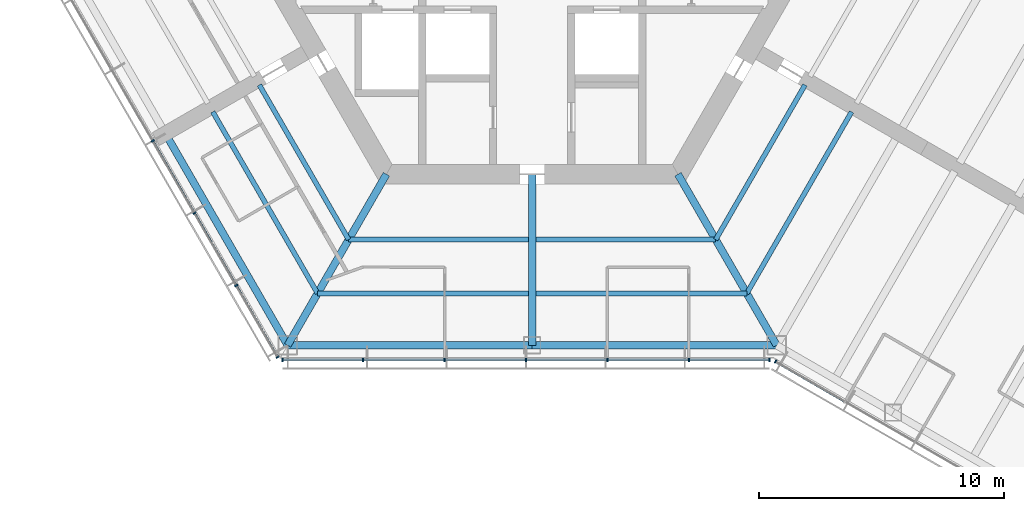
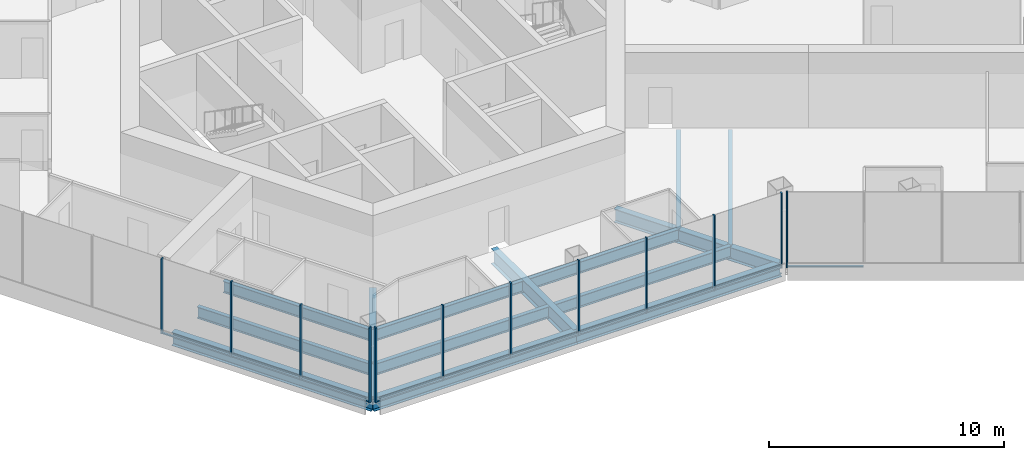
# One storey, part 2 of 16: 22 members, 14 beams, 3 elements without a shape of their own.
"""IFC4 building model written with IfcOpenShell, lengths in metres."""

import ifcopenshell
import ifcopenshell.guid

model = None  # the IFC model being written
_history = None  # IfcOwnerHistory: only IFC2X3 demands one
_inside = {}  # id of a spatial element -> (the spatial element, [elements in it])
_under = {}  # id of a project, library or spatial element -> (it, [spatial elements below it])
_declared = {}  # id of a project -> (the project, [libraries it declares])
_typed = {}  # id of a type object -> (the type object, [elements of that type])
_made_of = {}  # id of a material, layer set ... -> (it, [elements and type objects made of it])


def new_model(schema):
    """Start an empty IFC model of exactly this schema.

    Asked for "IFC4X3", IfcOpenShell would pick the latest addendum, in which some entities
    have other attributes; the version numbers below select the first issue.
    IFC2X3 requires an IfcOwnerHistory on every rooted entity: one is made here for all.
    """
    global model, _history
    if schema == "IFC4X3":
        model = ifcopenshell.file(schema_version=(4, 3, 0, 0))
    else:
        model = ifcopenshell.file(schema=schema)
    _inside.clear()
    _under.clear()
    _declared.clear()
    _typed.clear()
    _made_of.clear()
    _history = None
    if model.schema == "IFC2X3":
        org = make("IfcOrganization", Name="unknown")
        user = make(
            "IfcPersonAndOrganization",
            ThePerson=make("IfcPerson", FamilyName="unknown"),
            TheOrganization=org,
        )
        app = make(
            "IfcApplication",
            ApplicationDeveloper=org,
            Version="unknown",
            ApplicationFullName="unknown",
            ApplicationIdentifier="unknown",
        )
        _history = make(
            "IfcOwnerHistory",
            OwningUser=user,
            OwningApplication=app,
            ChangeAction="ADDED",
            CreationDate=0,
        )
    return model


def make(cls, **values):
    """One entity of the class cls with the attributes given. An attribute that is None is left unset."""
    return model.create_entity(
        cls, **{name: value for name, value in values.items() if value is not None}
    )


def rooted(cls, **values):
    """An entity with a GlobalId (a new one), such as an element, a storey or a relation."""
    return make(cls, GlobalId=ifcopenshell.guid.new(), OwnerHistory=_history, **values)


def si_unit(unit_type, name, prefix=None):
    """IfcSIUnit, for example si_unit("LENGTHUNIT", "METRE", prefix="MILLI")."""
    return make("IfcSIUnit", UnitType=unit_type, Prefix=prefix, Name=name)


def assignment(units):
    """IfcUnitAssignment: the units of a project."""
    return None if units is None else make("IfcUnitAssignment", Units=units)


def point(xyz):
    """IfcCartesianPoint."""
    return None if xyz is None else make("IfcCartesianPoint", Coordinates=xyz)


def direction(xyz):
    """IfcDirection."""
    return None if xyz is None else make("IfcDirection", DirectionRatios=xyz)


def frame(location, z_axis=None, x_axis=None):
    """IfcAxis2Placement3D, a coordinate frame: its origin and axes. An axis left out is left unset."""
    return make(
        "IfcAxis2Placement3D",
        Location=point(location),
        Axis=direction(z_axis),
        RefDirection=direction(x_axis),
    )


def frame_2d(location, x_axis=None):
    """IfcAxis2Placement2D, a coordinate frame in the plane: its origin and x axis."""
    return make(
        "IfcAxis2Placement2D", Location=point(location), RefDirection=direction(x_axis)
    )


def origin():
    """The frame at (0, 0, 0) with its axes left unset."""
    return frame((0.0, 0.0, 0.0))


def origin_2d():
    """The frame at (0, 0) in the plane with its x axis left unset."""
    return frame_2d((0.0, 0.0))


def place(relative_to, where):
    """IfcLocalPlacement: puts the frame where relative to a parent placement (None: the world)."""
    return make(
        "IfcLocalPlacement", PlacementRelTo=relative_to, RelativePlacement=where
    )


def context(
    kind, dimensions, precision=None, world=None, true_north=None, identifier=None
):
    """IfcGeometricRepresentationContext, for example the 3D "Model" context."""
    return make(
        "IfcGeometricRepresentationContext",
        ContextIdentifier=identifier,
        ContextType=kind,
        CoordinateSpaceDimension=dimensions,
        Precision=precision,
        WorldCoordinateSystem=world,
        TrueNorth=true_north,
    )


def subcontext(parent, identifier, kind, view, scale=None):
    """IfcGeometricRepresentationSubContext, for example "Body" below "Model"."""
    return make(
        "IfcGeometricRepresentationSubContext",
        ContextIdentifier=identifier,
        ContextType=kind,
        ParentContext=parent,
        TargetScale=scale,
        TargetView=view,
    )


def project(units=None, contexts=None):
    """IfcProject with its units and contexts."""
    return rooted(
        "IfcProject",
        Name="project",
        RepresentationContexts=contexts,
        UnitsInContext=assignment(units),
    )


def spatial(cls, under=None, at=None, **own):
    """A site, building, storey or space (cls), placed at a placement, below another one or the project."""
    s = rooted(cls, ObjectPlacement=at, **own)
    if under is not None:
        _under.setdefault(under.id(), (under, []))[1].append(s)
    return s


def profile(cls, at=None, kind="AREA", **sizes):
    """A parametric profile (cls). Its sizes go by their IFC names, for example OverallWidth=200.0."""
    return make(cls, ProfileType=kind, Position=at, **sizes)


def rectangle(**sizes):
    """IfcRectangleProfileDef."""
    return profile("IfcRectangleProfileDef", **sizes)


def i_section(**sizes):
    """IfcIShapeProfileDef."""
    return profile("IfcIShapeProfileDef", **sizes)


def extrude(swept, where, along, depth):
    """IfcExtrudedAreaSolid: the profile swept, set in the frame where, extruded along a direction by depth."""
    return make(
        "IfcExtrudedAreaSolid",
        SweptArea=swept,
        Position=where,
        ExtrudedDirection=direction(along),
        Depth=depth,
    )


def shape(context_of_items, identifier, shape_type, items):
    """IfcShapeRepresentation: the items that make up one representation, for example the "Body"."""
    return make(
        "IfcShapeRepresentation",
        ContextOfItems=context_of_items,
        RepresentationIdentifier=identifier,
        RepresentationType=shape_type,
        Items=items,
    )


def material(Name=None, Category=None):
    """IfcMaterial."""
    return make("IfcMaterial", Name=Name, Category=Category)


def material_profile(
    of_material, cross_section, Name=None, Category=None, Priority=None
):
    """IfcMaterialProfile: a cross section and its material."""
    return make(
        "IfcMaterialProfile",
        Name=Name,
        Material=of_material,
        Profile=cross_section,
        Priority=Priority,
        Category=Category,
    )


def profile_set(profiles, Name=None, composite=None):
    """IfcMaterialProfileSet."""
    return make(
        "IfcMaterialProfileSet",
        Name=Name,
        MaterialProfiles=profiles,
        CompositeProfile=composite,
    )


def made_of(thing, what):
    """Note that an element or type object is made of a material, layer set ...; save() writes the relation."""
    if what is not None:
        _made_of.setdefault(what.id(), (what, []))[1].append(thing)
    return thing


def type_object(cls, material=None, **own):
    """A type object (cls), such as IfcWallType, which elements share."""
    return made_of(rooted(cls, **own), material)


def element(
    cls,
    number,
    at=None,
    inside=None,
    cuts=None,
    type_object=None,
    material=None,
    context=None,
    identifier="Body",
    shape_type=None,
    held_by="IfcProductDefinitionShape",
    body=None,
    shapes=None,
    **own,
):
    """One element of the class cls, such as IfcWall. Its Tag is "e" and its number.

    at: its placement. inside: the storey or other place that contains it. cuts: it is an
    opening in that element (IfcRelVoidsElement). A single representation is given by context,
    identifier, shape_type and body (its items); several are given by shapes. held_by: the class
    of the entity that holds the representations. save() writes the other relations.
    """
    e = rooted(cls, Tag="e%d" % number, ObjectPlacement=at, **own)
    if body is not None:
        shapes = [shape(context, identifier, shape_type, body)]
    if shapes is not None:
        e.Representation = make(held_by, Representations=shapes)
    if inside is not None:
        _inside.setdefault(inside.id(), (inside, []))[1].append(e)
    if cuts is not None:
        rooted(
            "IfcRelVoidsElement", RelatingBuildingElement=cuts, RelatedOpeningElement=e
        )
    if type_object is not None:
        _typed.setdefault(type_object.id(), (type_object, []))[1].append(e)
    return made_of(e, material)


def aggregate(whole, parts):
    """IfcRelAggregates: a whole, such as a stair, and the parts it consists of."""
    return rooted("IfcRelAggregates", RelatingObject=whole, RelatedObjects=parts)


def save(model, path):
    """Write the relations noted so far, then the file.

    IfcRelAggregates (storeys below a building ...), IfcRelContainedInSpatialStructure (elements
    in a storey), IfcRelDefinesByType, IfcRelAssociatesMaterial and IfcRelDeclares: one each for
    every whole, place, type object, material and project.
    """
    for whole, parts in _under.values():
        aggregate(whole, parts)
    for where, things in _inside.values():
        rooted(
            "IfcRelContainedInSpatialStructure",
            RelatedElements=things,
            RelatingStructure=where,
        )
    for kind, things in _typed.values():
        rooted("IfcRelDefinesByType", RelatedObjects=things, RelatingType=kind)
    for what, things in _made_of.values():
        rooted("IfcRelAssociatesMaterial", RelatedObjects=things, RelatingMaterial=what)
    for by, libraries in _declared.values():
        rooted("IfcRelDeclares", RelatingContext=by, RelatedDefinitions=libraries)
    model.write(path)


model = new_model("IFC4")

# Units and contexts
model_context = context("Model", 3, precision=1e-05, world=origin(), true_north=direction((0.0, 1.0)))
body_context = subcontext(model_context, "Body", "Model", "MODEL_VIEW")
ifc_project = project(units=[si_unit("LENGTHUNIT", "METRE"), si_unit("AREAUNIT", "SQUARE_METRE"), si_unit("VOLUMEUNIT", "CUBIC_METRE"), si_unit("PLANEANGLEUNIT", "RADIAN"), si_unit("MASSUNIT", "GRAM", prefix="KILO")], contexts=[model_context])

# Site, building, storey
site_placement = place(None, origin())
site = spatial("IfcSite", under=ifc_project, at=site_placement, CompositionType="ELEMENT")
building_placement = place(site_placement, origin())
building = spatial("IfcBuilding", under=site, at=building_placement, Name="Kasaneha Research Tower", CompositionType="ELEMENT")
storey_placement = place(building_placement, frame((0.0, 0.0, 251.800048828125)))
storey = spatial("IfcBuildingStorey", under=building, at=storey_placement, Name="L63", CompositionType="ELEMENT", Elevation=251.800048828125)

# Beams
ifc_material_1 = material(Name="Steel SN490B", Category="steel")
ifc_material_profile_1 = material_profile(ifc_material_1, i_section(OverallWidth=0.199951171875, OverallDepth=0.60009765625, WebThickness=0.010986328125, FlangeThickness=0.01708984375, FilletRadius=0.012939453125, at=origin_2d()), Name="H-600x200x11x17")
ifc_profile_set_1 = profile_set([ifc_material_profile_1], Name="Steel SN490B")
beam_type_1 = type_object("IfcBeamType", Name="B1-3 secondary beam H-600x200x11x17", PredefinedType="JOIST", material=ifc_profile_set_1)
beam_1_placement = place(storey_placement, frame((-7.505615234375, -13.0, -0.449951171875), z_axis=(-0.499999192304, 0.866025870108, 0.0), x_axis=(-0.866025870108, -0.499999192304, 0.0)))
element("IfcBeam", 1, at=beam_1_placement, inside=storey, type_object=beam_type_1, Name="Secondary beam RS210R1 L63", PredefinedType="JOIST", context=body_context, shape_type="SweptSolid", body=[
    extrude(i_section(OverallWidth=0.199951171875, OverallDepth=0.60009765625, WebThickness=0.010986328125, FlangeThickness=0.01708984375, FilletRadius=0.012939453125, at=origin_2d()), origin(), (0.0, 0.0, 1.0), 7.3056640625),
])
beam_2_placement = place(storey_placement, frame((-8.775634765625, -15.199951171875, -0.449951171875), z_axis=(-0.500000102728, 0.866025344474, 0.0), x_axis=(-0.866025344474, -0.500000102728, 0.0)))
element("IfcBeam", 2, at=beam_2_placement, inside=storey, type_object=beam_type_1, Name="Secondary beam RS210R2 L63", PredefinedType="JOIST", context=body_context, shape_type="SweptSolid", body=[
    extrude(i_section(OverallWidth=0.199951171875, OverallDepth=0.60009765625, WebThickness=0.010986328125, FlangeThickness=0.01708984375, FilletRadius=0.012939453125, at=origin_2d()), origin(), (0.0, 0.0, 1.0), 8.57568359375),
])
beam_3_placement = place(storey_placement, frame((-7.505615234375, -13.0, -0.449951171875), z_axis=(1.0, 0.0, 0.0), x_axis=(0.0, 1.0, 0.0)))
element("IfcBeam", 3, at=beam_3_placement, inside=storey, type_object=beam_type_1, Name="Secondary beam RS270L1 L63", PredefinedType="JOIST", context=body_context, shape_type="SweptSolid", body=[
    extrude(i_section(OverallWidth=0.199951171875, OverallDepth=0.60009765625, WebThickness=0.010986328125, FlangeThickness=0.01708984375, FilletRadius=0.012939453125, at=origin_2d()), origin(), (0.0, 0.0, 1.0), 7.355712890625),
])
beam_4_placement = place(storey_placement, frame((-8.775634765625, -15.199951171875, -0.449951171875), z_axis=(1.0, 0.0, 0.0), x_axis=(0.0, 1.0, 0.0)))
element("IfcBeam", 4, at=beam_4_placement, inside=storey, type_object=beam_type_1, Name="Secondary beam RS270L2 L63", PredefinedType="JOIST", context=body_context, shape_type="SweptSolid", body=[
    extrude(i_section(OverallWidth=0.199951171875, OverallDepth=0.60009765625, WebThickness=0.010986328125, FlangeThickness=0.01708984375, FilletRadius=0.012939453125, at=origin_2d()), origin(), (0.0, 0.0, 1.0), 8.625732421875),
])
beam_5_placement = place(storey_placement, frame((7.505615234375, -13.0, -0.449951171875), z_axis=(-1.0, 0.0, 0.0), x_axis=(0.0, -1.0, 0.0)))
element("IfcBeam", 5, at=beam_5_placement, inside=storey, type_object=beam_type_1, Name="Secondary beam RS270R1 L63", PredefinedType="JOIST", context=body_context, shape_type="SweptSolid", body=[
    extrude(i_section(OverallWidth=0.199951171875, OverallDepth=0.60009765625, WebThickness=0.010986328125, FlangeThickness=0.01708984375, FilletRadius=0.012939453125, at=origin_2d()), origin(), (0.0, 0.0, 1.0), 7.355712890625),
])
beam_6_placement = place(storey_placement, frame((8.775634765625, -15.199951171875, -0.449951171875), z_axis=(-1.0, 0.0, 0.0), x_axis=(0.0, -1.0, 0.0)))
element("IfcBeam", 6, at=beam_6_placement, inside=storey, type_object=beam_type_1, Name="Secondary beam RS270R2 L63", PredefinedType="JOIST", context=body_context, shape_type="SweptSolid", body=[
    extrude(i_section(OverallWidth=0.199951171875, OverallDepth=0.60009765625, WebThickness=0.010986328125, FlangeThickness=0.01708984375, FilletRadius=0.012939453125, at=origin_2d()), origin(), (0.0, 0.0, 1.0), 8.625732421875),
])
beam_7_placement = place(storey_placement, frame((7.505615234375, -13.0, -0.449951171875), z_axis=(0.499999192304, 0.866025870108, 0.0), x_axis=(-0.866025870108, 0.499999192304, 0.0)))
element("IfcBeam", 7, at=beam_7_placement, inside=storey, type_object=beam_type_1, Name="Secondary beam RS330L1 L63", PredefinedType="JOIST", context=body_context, shape_type="SweptSolid", body=[
    extrude(i_section(OverallWidth=0.199951171875, OverallDepth=0.60009765625, WebThickness=0.010986328125, FlangeThickness=0.01708984375, FilletRadius=0.012939453125, at=origin_2d()), origin(), (0.0, 0.0, 1.0), 7.3056640625),
])
beam_8_placement = place(storey_placement, frame((8.775634765625, -15.199951171875, -0.449951171875), z_axis=(0.500000102728, 0.866025344474, 0.0), x_axis=(-0.866025344474, 0.500000102728, 0.0)))
element("IfcBeam", 8, at=beam_8_placement, inside=storey, type_object=beam_type_1, Name="Secondary beam RS330L2 L63", PredefinedType="JOIST", context=body_context, shape_type="SweptSolid", body=[
    extrude(i_section(OverallWidth=0.199951171875, OverallDepth=0.60009765625, WebThickness=0.010986328125, FlangeThickness=0.01708984375, FilletRadius=0.012939453125, at=origin_2d()), origin(), (0.0, 0.0, 1.0), 8.57568359375),
])

# Curtain wall, members
ifc_material_2 = material(Name="Glass and aluminium", Category="aluminium")
curtain_wall_type = type_object("IfcCurtainWallType", Name="High-rise office curtain wall", PredefinedType="USERDEFINED", material=ifc_material_2)
curtain_wall_1_placement = place(storey_placement, origin())
curtain_wall_1 = element("IfcCurtainWall", 9, at=curtain_wall_1_placement, inside=storey, type_object=curtain_wall_type, Name="CW-O3 L63 run 04a", ObjectType="UNITISED CURTAIN WALL", PredefinedType="USERDEFINED")
ifc_material_3 = material(Name="Aluminium 6063-T6", Category="aluminium")
ifc_material_profile_2 = material_profile(ifc_material_3, rectangle(XDim=0.06005859375, YDim=0.139892578125, at=origin_2d()), Name="CW-O3 mullion 60x140")
ifc_profile_set_2 = profile_set([ifc_material_profile_2], Name="Aluminium 6063-T6")
member_type_1 = type_object("IfcMemberType", Name="CW-O3 mullion", PredefinedType="MULLION", material=ifc_profile_set_2)
member_1_placement = place(storey_placement, frame((-15.51953125, -8.960205078125, 0.0), z_axis=(0.0, 0.0, 1.0), x_axis=(0.499999995722, -0.866025406254, 0.0)))
member_1 = element("IfcMember", 10, at=member_1_placement, type_object=member_type_1, Name="CW-O3 mullion 4", PredefinedType="MULLION", context=body_context, shape_type="SweptSolid", body=[
    extrude(rectangle(XDim=0.06005859375, YDim=0.139892578125, at=origin_2d()), origin(), (0.0, 0.0, 1.0), 3.89990234375),
])
member_2_placement = place(storey_placement, frame((-13.811767578125, -11.918212890625, 0.0), z_axis=(0.0, 0.0, 1.0), x_axis=(0.499999995722, -0.866025406254, 0.0)))
member_2 = element("IfcMember", 11, at=member_2_placement, type_object=member_type_1, Name="CW-O3 mullion 5", PredefinedType="MULLION", context=body_context, shape_type="SweptSolid", body=[
    extrude(rectangle(XDim=0.06005859375, YDim=0.139892578125, at=origin_2d()), origin(), (0.0, 0.0, 1.0), 3.89990234375),
])
member_3_placement = place(storey_placement, frame((-12.104248046875, -14.8759765625, 0.0), z_axis=(0.0, 0.0, 1.0), x_axis=(0.499999995722, -0.866025406254, 0.0)))
member_3 = element("IfcMember", 12, at=member_3_placement, type_object=member_type_1, Name="CW-O3 mullion 6", PredefinedType="MULLION", context=body_context, shape_type="SweptSolid", body=[
    extrude(rectangle(XDim=0.06005859375, YDim=0.139892578125, at=origin_2d()), origin(), (0.0, 0.0, 1.0), 3.89990234375),
])
member_4_placement = place(storey_placement, frame((-10.411376953125, -17.807861328125, 0.0), z_axis=(0.0, 0.0, 1.0), x_axis=(0.499999995722, -0.866025406254, 0.0)))
member_4 = element("IfcMember", 13, at=member_4_placement, type_object=member_type_1, Name="CW-O3 mullion 7", PredefinedType="MULLION", context=body_context, shape_type="SweptSolid", body=[
    extrude(rectangle(XDim=0.06005859375, YDim=0.139892578125, at=origin_2d()), origin(), (0.0, 0.0, 1.0), 3.89990234375),
])

curtain_wall_2_placement = place(storey_placement, origin())
curtain_wall_2 = element("IfcCurtainWall", 14, at=curtain_wall_2_placement, inside=storey, type_object=curtain_wall_type, Name="CW-O3 L63 run 05a", ObjectType="UNITISED CURTAIN WALL", PredefinedType="USERDEFINED")
member_5_placement = place(storey_placement, frame((-10.21630859375, -17.92041015625, 0.0), z_axis=(0.0, 0.0, 1.0), x_axis=(1.0, 0.0, 0.0)))
member_5 = element("IfcMember", 15, at=member_5_placement, type_object=member_type_1, Name="CW-O3 mullion 1", PredefinedType="MULLION", context=body_context, shape_type="SweptSolid", body=[
    extrude(rectangle(XDim=0.06005859375, YDim=0.139892578125, at=origin_2d()), origin(), (0.0, 0.0, 1.0), 3.89990234375),
])
member_6_placement = place(storey_placement, frame((-6.91552734375, -17.92041015625, 0.0), z_axis=(0.0, 0.0, 1.0), x_axis=(1.0, 0.0, 0.0)))
member_6 = element("IfcMember", 16, at=member_6_placement, type_object=member_type_1, Name="CW-O3 mullion 2", PredefinedType="MULLION", context=body_context, shape_type="SweptSolid", body=[
    extrude(rectangle(XDim=0.06005859375, YDim=0.139892578125, at=origin_2d()), origin(), (0.0, 0.0, 1.0), 3.89990234375),
])
member_7_placement = place(storey_placement, frame((-3.58447265625, -17.92041015625, 0.0), z_axis=(0.0, 0.0, 1.0), x_axis=(1.0, 0.0, 0.0)))
member_7 = element("IfcMember", 17, at=member_7_placement, type_object=member_type_1, Name="CW-O3 mullion 3", PredefinedType="MULLION", context=body_context, shape_type="SweptSolid", body=[
    extrude(rectangle(XDim=0.06005859375, YDim=0.139892578125, at=origin_2d()), origin(), (0.0, 0.0, 1.0), 3.89990234375),
])
member_8_placement = place(storey_placement, frame((-0.253662109375, -17.92041015625, 0.0), z_axis=(0.0, 0.0, 1.0), x_axis=(1.0, 0.0, 0.0)))
member_8 = element("IfcMember", 18, at=member_8_placement, type_object=member_type_1, Name="CW-O3 mullion 4", PredefinedType="MULLION", context=body_context, shape_type="SweptSolid", body=[
    extrude(rectangle(XDim=0.06005859375, YDim=0.139892578125, at=origin_2d()), origin(), (0.0, 0.0, 1.0), 3.89990234375),
])
member_9_placement = place(storey_placement, frame((3.077392578125, -17.92041015625, 0.0), z_axis=(0.0, 0.0, 1.0), x_axis=(1.0, 0.0, 0.0)))
member_9 = element("IfcMember", 19, at=member_9_placement, type_object=member_type_1, Name="CW-O3 mullion 5", PredefinedType="MULLION", context=body_context, shape_type="SweptSolid", body=[
    extrude(rectangle(XDim=0.06005859375, YDim=0.139892578125, at=origin_2d()), origin(), (0.0, 0.0, 1.0), 3.89990234375),
])
member_10_placement = place(storey_placement, frame((6.408203125, -17.92041015625, 0.0), z_axis=(0.0, 0.0, 1.0), x_axis=(1.0, 0.0, 0.0)))
member_10 = element("IfcMember", 20, at=member_10_placement, type_object=member_type_1, Name="CW-O3 mullion 6", PredefinedType="MULLION", context=body_context, shape_type="SweptSolid", body=[
    extrude(rectangle(XDim=0.06005859375, YDim=0.139892578125, at=origin_2d()), origin(), (0.0, 0.0, 1.0), 3.89990234375),
])
member_11_placement = place(storey_placement, frame((9.709228515625, -17.92041015625, 0.0), z_axis=(0.0, 0.0, 1.0), x_axis=(1.0, 0.0, 0.0)))
member_11 = element("IfcMember", 21, at=member_11_placement, type_object=member_type_1, Name="CW-O3 mullion 7", PredefinedType="MULLION", context=body_context, shape_type="SweptSolid", body=[
    extrude(rectangle(XDim=0.06005859375, YDim=0.139892578125, at=origin_2d()), origin(), (0.0, 0.0, 1.0), 3.89990234375),
])

# Curtain wall, member
curtain_wall_3_placement = place(storey_placement, origin())
curtain_wall_3 = element("IfcCurtainWall", 22, at=curtain_wall_3_placement, inside=storey, type_object=curtain_wall_type, Name="CW-O3 L63 run 06a", ObjectType="UNITISED CURTAIN WALL", PredefinedType="USERDEFINED")
member_12_placement = place(storey_placement, frame((9.951904296875, -17.985595703125, 0.0), z_axis=(0.0, 0.0, 1.0), x_axis=(0.866025411464, -0.499999986699, 0.0)))
member_12 = element("IfcMember", 23, at=member_12_placement, type_object=member_type_1, Name="CW-O3 mullion 1", PredefinedType="MULLION", context=body_context, shape_type="SweptSolid", body=[
    extrude(rectangle(XDim=0.06005859375, YDim=0.139892578125, at=origin_2d()), origin(), (0.0, 0.0, 1.0), 3.89990234375),
])

# Member
ifc_material_4 = material(Name="Aluminium 6063-T6", Category="aluminium")
ifc_material_profile_3 = material_profile(ifc_material_4, rectangle(XDim=0.10009765625, YDim=0.06005859375, at=origin_2d()), Name="CW-O3 transom 100x60")
ifc_profile_set_3 = profile_set([ifc_material_profile_3], Name="Aluminium 6063-T6")
member_type_2 = type_object("IfcMemberType", Name="CW-O3 transom", PredefinedType="USERDEFINED", material=ifc_profile_set_3)
member_13_placement = place(storey_placement, frame((-15.504638671875, -8.986328125, 0.030029296875), z_axis=(0.500020578564, -0.866013522419, 0.0), x_axis=(0.866013522419, 0.500020578564, 0.0)))
member_13 = element("IfcMember", 24, at=member_13_placement, type_object=member_type_2, Name="CW-O3 transom 4", ObjectType="TRANSOM", PredefinedType="USERDEFINED", context=body_context, shape_type="SweptSolid", body=[
    extrude(rectangle(XDim=0.10009765625, YDim=0.06005859375, at=origin_2d()), origin(), (0.0, 0.0, 1.0), 3.355224609375),
])

member_14_placement = place(storey_placement, frame((-13.796875, -11.944091796875, 0.030029296875), z_axis=(0.499989072476, -0.866031712701, 0.0), x_axis=(0.866031712701, 0.499989072476, 0.0)))
member_14 = element("IfcMember", 25, at=member_14_placement, type_object=member_type_2, Name="CW-O3 transom 5", ObjectType="TRANSOM", PredefinedType="USERDEFINED", context=body_context, shape_type="SweptSolid", body=[
    extrude(rectangle(XDim=0.10009765625, YDim=0.06005859375, at=origin_2d()), origin(), (0.0, 0.0, 1.0), 3.35546875),
])

member_15_placement = place(storey_placement, frame((-12.089111328125, -14.902099609375, 0.030029296875), z_axis=(0.49997666526, -0.866038875684, 0.0), x_axis=(0.866038875684, 0.49997666526, 0.0)))
member_15 = element("IfcMember", 26, at=member_15_placement, type_object=member_type_2, Name="CW-O3 transom 6", ObjectType="TRANSOM", PredefinedType="USERDEFINED", context=body_context, shape_type="SweptSolid", body=[
    extrude(rectangle(XDim=0.10009765625, YDim=0.06005859375, at=origin_2d()), origin(), (0.0, 0.0, 1.0), 3.325439453125),
])

aggregate(curtain_wall_1, [member_1, member_2, member_3, member_4, member_13, member_14, member_15])

member_16_placement = place(storey_placement, frame((-10.1865234375, -17.92041015625, 0.030029296875), z_axis=(1.0, 0.0, 0.0), x_axis=(0.0, 1.0, 0.0)))
member_16 = element("IfcMember", 27, at=member_16_placement, type_object=member_type_2, Name="CW-O3 transom 1", ObjectType="TRANSOM", PredefinedType="USERDEFINED", context=body_context, shape_type="SweptSolid", body=[
    extrude(rectangle(XDim=0.10009765625, YDim=0.06005859375, at=origin_2d()), origin(), (0.0, 0.0, 1.0), 3.240966796875),
])

member_17_placement = place(storey_placement, frame((-6.885498046875, -17.92041015625, 0.030029296875), z_axis=(1.0, 0.0, 0.0), x_axis=(0.0, 1.0, 0.0)))
member_17 = element("IfcMember", 28, at=member_17_placement, type_object=member_type_2, Name="CW-O3 transom 2", ObjectType="TRANSOM", PredefinedType="USERDEFINED", context=body_context, shape_type="SweptSolid", body=[
    extrude(rectangle(XDim=0.10009765625, YDim=0.06005859375, at=origin_2d()), origin(), (0.0, 0.0, 1.0), 3.27099609375),
])

member_18_placement = place(storey_placement, frame((-3.554443359375, -17.92041015625, 0.030029296875), z_axis=(1.0, 0.0, 0.0), x_axis=(0.0, 1.0, 0.0)))
member_18 = element("IfcMember", 29, at=member_18_placement, type_object=member_type_2, Name="CW-O3 transom 3", ObjectType="TRANSOM", PredefinedType="USERDEFINED", context=body_context, shape_type="SweptSolid", body=[
    extrude(rectangle(XDim=0.10009765625, YDim=0.06005859375, at=origin_2d()), origin(), (0.0, 0.0, 1.0), 3.270751953125),
])

member_19_placement = place(storey_placement, frame((-0.2236328125, -17.92041015625, 0.030029296875), z_axis=(1.0, 0.0, 0.0), x_axis=(0.0, 1.0, 0.0)))
member_19 = element("IfcMember", 30, at=member_19_placement, type_object=member_type_2, Name="CW-O3 transom 4", ObjectType="TRANSOM", PredefinedType="USERDEFINED", context=body_context, shape_type="SweptSolid", body=[
    extrude(rectangle(XDim=0.10009765625, YDim=0.06005859375, at=origin_2d()), origin(), (0.0, 0.0, 1.0), 3.27099609375),
])

member_20_placement = place(storey_placement, frame((3.107421875, -17.92041015625, 0.030029296875), z_axis=(1.0, 0.0, 0.0), x_axis=(0.0, 1.0, 0.0)))
member_20 = element("IfcMember", 31, at=member_20_placement, type_object=member_type_2, Name="CW-O3 transom 5", ObjectType="TRANSOM", PredefinedType="USERDEFINED", context=body_context, shape_type="SweptSolid", body=[
    extrude(rectangle(XDim=0.10009765625, YDim=0.06005859375, at=origin_2d()), origin(), (0.0, 0.0, 1.0), 3.270751953125),
])

member_21_placement = place(storey_placement, frame((6.438232421875, -17.92041015625, 0.030029296875), z_axis=(1.0, 0.0, 0.0), x_axis=(0.0, 1.0, 0.0)))
member_21 = element("IfcMember", 32, at=member_21_placement, type_object=member_type_2, Name="CW-O3 transom 6", ObjectType="TRANSOM", PredefinedType="USERDEFINED", context=body_context, shape_type="SweptSolid", body=[
    extrude(rectangle(XDim=0.10009765625, YDim=0.06005859375, at=origin_2d()), origin(), (0.0, 0.0, 1.0), 3.240966796875),
])

aggregate(curtain_wall_2, [member_5, member_6, member_7, member_8, member_9, member_10, member_11, member_16, member_17, member_18, member_19, member_20, member_21])

member_22_placement = place(storey_placement, frame((9.977783203125, -18.00048828125, 0.030029296875), z_axis=(0.866022692473, -0.500004696101, 0.0), x_axis=(0.500004696101, 0.866022692473, 0.0)))
member_22 = element("IfcMember", 33, at=member_22_placement, type_object=member_type_2, Name="CW-O3 transom 1", ObjectType="TRANSOM", PredefinedType="USERDEFINED", context=body_context, shape_type="SweptSolid", body=[
    extrude(rectangle(XDim=0.10009765625, YDim=0.06005859375, at=origin_2d()), origin(), (0.0, 0.0, 1.0), 3.2197265625),
])

aggregate(curtain_wall_3, [member_12, member_22])

# Beams
ifc_material_5 = material(Name="Steel SN490B", Category="steel")
ifc_material_profile_4 = material_profile(ifc_material_5, i_section(OverallWidth=0.300048828125, OverallDepth=0.699951171875, WebThickness=0.012939453125, FlangeThickness=0.02392578125, FilletRadius=0.01806640625, at=origin_2d()), Name="H-700x300x13x24")
ifc_profile_set_4 = profile_set([ifc_material_profile_4], Name="Steel SN490B")
beam_type_2 = type_object("IfcBeamType", Name="G1-3 radial girder H-700x300x13x24", PredefinedType="BEAM", material=ifc_profile_set_4)
for number, where, z_axis, x_axis, name in (
    (34, (-5.961181640625, -10.324951171875, -0.5), (-0.49999105496, -0.866030568144, 0.0), (0.866030568144, -0.49999105496, 0.0), "Radial girder RV240 L63"),
    (35, (5.961181640625, -10.324951171875, -0.5), (0.49999105496, -0.866030568144, 0.0), (0.866030568144, 0.49999105496, 0.0), "Radial girder RV300 L63"),
):
    element("IfcBeam", number, at=place(storey_placement, frame(where, z_axis=z_axis, x_axis=x_axis)), inside=storey, type_object=beam_type_2, Name=name, PredefinedType="BEAM", context=body_context, shape_type="SweptSolid", body=[
        extrude(i_section(OverallWidth=0.300048828125, OverallDepth=0.699951171875, WebThickness=0.012939453125, FlangeThickness=0.02392578125, FilletRadius=0.01806640625, at=origin_2d()), origin(), (0.0, 0.0, 1.0), 8.077880859375),
    ])
ifc_material_6 = material(Name="Steel SN490B", Category="steel")
ifc_material_profile_5 = material_profile(ifc_material_6, i_section(OverallWidth=0.300048828125, OverallDepth=0.800048828125, WebThickness=0.013916015625, FlangeThickness=0.02587890625, FilletRadius=0.01806640625, at=origin_2d()), Name="H-800x300x14x26")
ifc_profile_set_5 = profile_set([ifc_material_profile_5], Name="Steel SN490B")
beam_type_3 = type_object("IfcBeamType", Name="G2-3 radial girder H-800x300x14x26", PredefinedType="BEAM", material=ifc_profile_set_5)
beam_9_placement = place(storey_placement, frame((0.0, -10.324951171875, -0.550048828125), z_axis=(0.0, -1.0, 0.0), x_axis=(1.0, 0.0, 0.0)))
element("IfcBeam", 36, at=beam_9_placement, inside=storey, type_object=beam_type_3, Name="Radial girder RM270 L63", PredefinedType="BEAM", context=body_context, shape_type="SweptSolid", body=[
    extrude(i_section(OverallWidth=0.300048828125, OverallDepth=0.800048828125, WebThickness=0.013916015625, FlangeThickness=0.02587890625, FilletRadius=0.01806640625, at=origin_2d()), origin(), (0.0, 0.0, 1.0), 6.99560546875),
])
ifc_material_7 = material(Name="Steel SN490B", Category="steel")
ifc_material_profile_6 = material_profile(ifc_material_7, i_section(OverallWidth=0.300048828125, OverallDepth=0.69189453125, WebThickness=0.012939453125, FlangeThickness=0.02001953125, FilletRadius=0.01806640625, at=origin_2d()), Name="H-692x300x13x20")
ifc_profile_set_6 = profile_set([ifc_material_profile_6], Name="Steel SN490B")
beam_type_4 = type_object("IfcBeamType", Name="G3-3 plate edge girder H-692x300x13x20", PredefinedType="BEAM", material=ifc_profile_set_6)
beam_10_placement = place(storey_placement, frame((-10.0, -17.320556640625, -0.49609375), z_axis=(-0.49999201416, 0.866030014362, 0.0), x_axis=(-0.866030014362, -0.49999201416, 0.0)))
element("IfcBeam", 37, at=beam_10_placement, inside=storey, type_object=beam_type_4, Name="Plate edge girder PEBN L63", PredefinedType="BEAM", context=body_context, shape_type="SweptSolid", body=[
    extrude(i_section(OverallWidth=0.300048828125, OverallDepth=0.69189453125, WebThickness=0.012939453125, FlangeThickness=0.02001953125, FilletRadius=0.01806640625, at=origin_2d()), origin(), (0.0, 0.0, 1.0), 9.800048828125),
])
ifc_material_8 = material(Name="Steel SN490B", Category="steel")
ifc_material_profile_7 = material_profile(ifc_material_8, i_section(OverallWidth=0.300048828125, OverallDepth=0.69189453125, WebThickness=0.012939453125, FlangeThickness=0.02001953125, FilletRadius=0.01806640625, at=origin_2d()), Name="H-692x300x13x20")
ifc_profile_set_7 = profile_set([ifc_material_profile_7], Name="Steel SN490B")
beam_type_5 = type_object("IfcBeamType", Name="SB1-3 spandrel beam H-692x300x13x20", PredefinedType="SPANDREL", material=ifc_profile_set_7)
for number, where, z_axis, x_axis, name in (
    (38, (-10.0, -17.320556640625, -0.49609375), (1.0, 0.0, 0.0), (0.0, 1.0, 0.0), "Spandrel beam SR270L L63"),
    (39, (10.0, -17.320556640625, -0.49609375), (-1.0, 0.0, 0.0), (0.0, -1.0, 0.0), "Spandrel beam SR270R L63"),
):
    element("IfcBeam", number, at=place(storey_placement, frame(where, z_axis=z_axis, x_axis=x_axis)), inside=storey, type_object=beam_type_5, Name=name, PredefinedType="SPANDREL", context=body_context, shape_type="SweptSolid", body=[
        extrude(i_section(OverallWidth=0.300048828125, OverallDepth=0.69189453125, WebThickness=0.012939453125, FlangeThickness=0.02001953125, FilletRadius=0.01806640625, at=origin_2d()), origin(), (0.0, 0.0, 1.0), 10.0),
    ])

save(model, "model.ifc")
